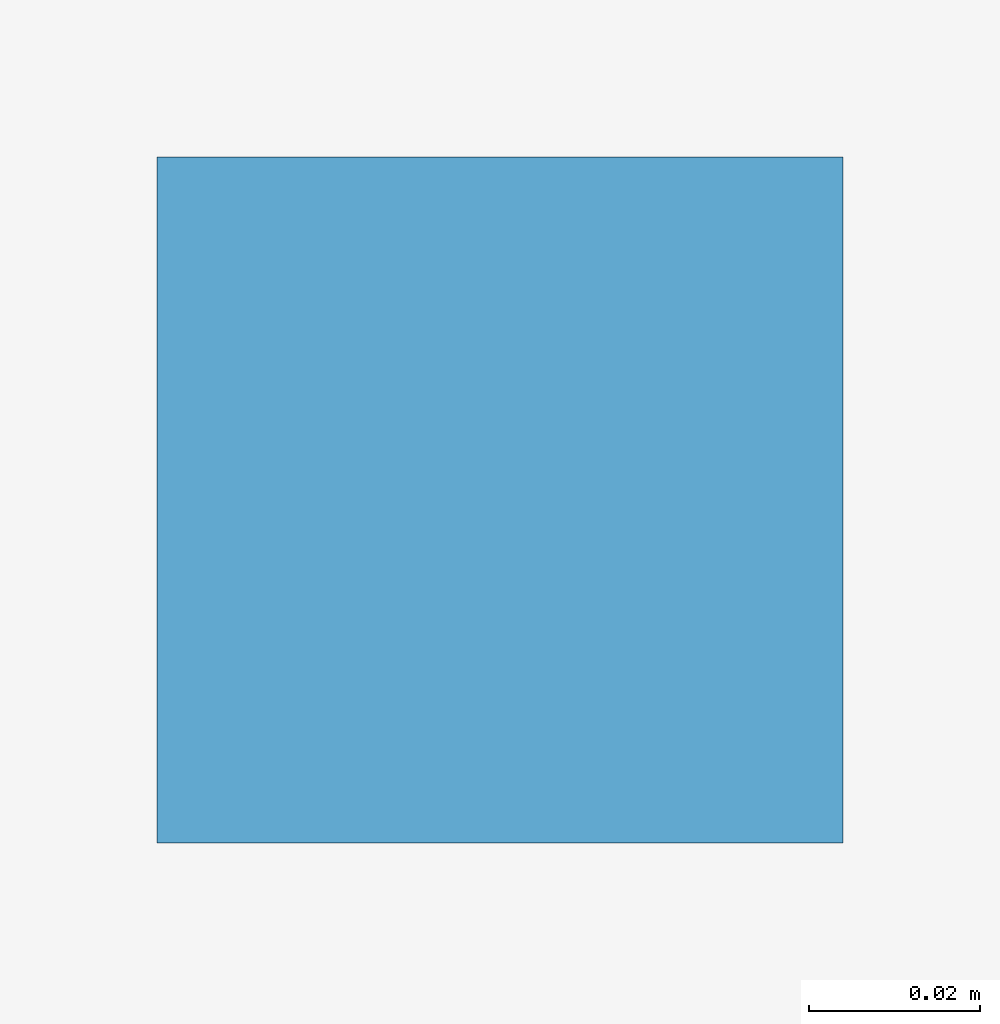
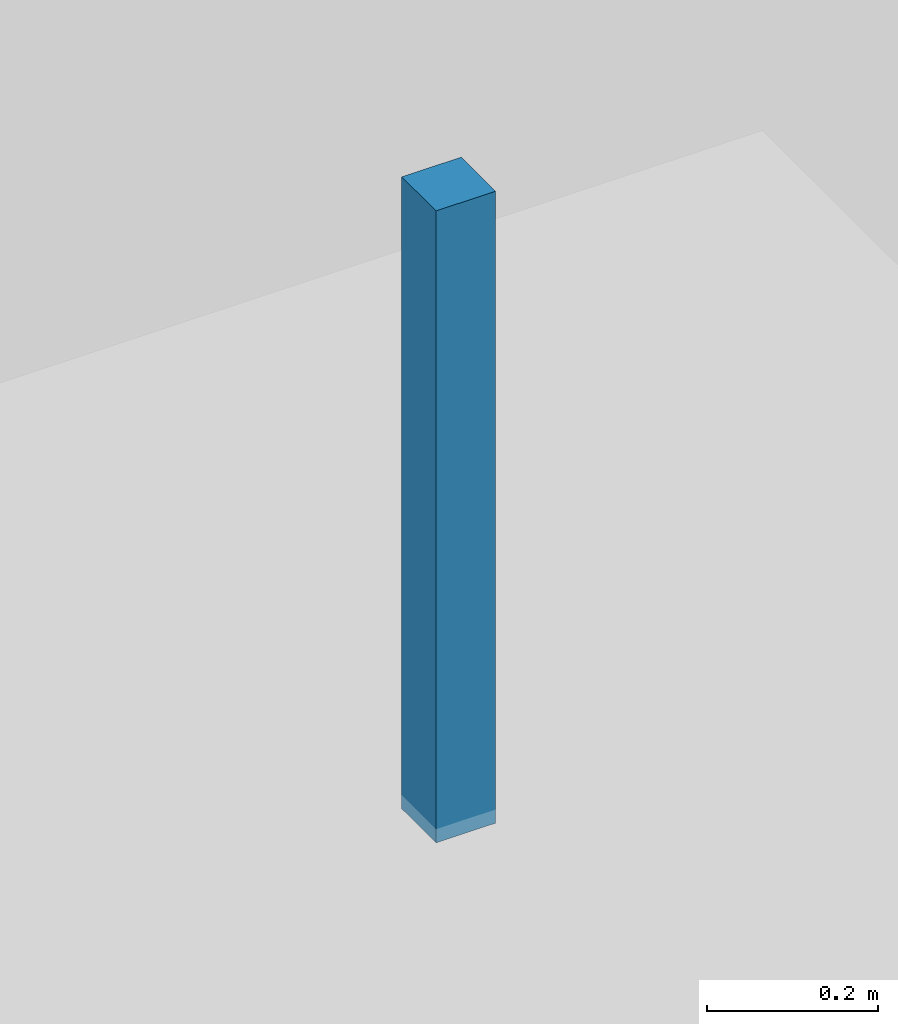
# One storey, part 46 of 53: 1 discrete accessory.
"""IFC4 building model written with IfcOpenShell, lengths in metres."""

import ifcopenshell
import ifcopenshell.guid

model = None  # the IFC model being written
_history = None  # IfcOwnerHistory: only IFC2X3 demands one
_inside = {}  # id of a spatial element -> (the spatial element, [elements in it])
_under = {}  # id of a project, library or spatial element -> (it, [spatial elements below it])
_declared = {}  # id of a project -> (the project, [libraries it declares])
_typed = {}  # id of a type object -> (the type object, [elements of that type])
_made_of = {}  # id of a material, layer set ... -> (it, [elements and type objects made of it])


def new_model(schema):
    """Start an empty IFC model of exactly this schema.

    Asked for "IFC4X3", IfcOpenShell would pick the latest addendum, in which some entities
    have other attributes; the version numbers below select the first issue.
    IFC2X3 requires an IfcOwnerHistory on every rooted entity: one is made here for all.
    """
    global model, _history
    if schema == "IFC4X3":
        model = ifcopenshell.file(schema_version=(4, 3, 0, 0))
    else:
        model = ifcopenshell.file(schema=schema)
    _inside.clear()
    _under.clear()
    _declared.clear()
    _typed.clear()
    _made_of.clear()
    _history = None
    if model.schema == "IFC2X3":
        org = make("IfcOrganization", Name="unknown")
        user = make(
            "IfcPersonAndOrganization",
            ThePerson=make("IfcPerson", FamilyName="unknown"),
            TheOrganization=org,
        )
        app = make(
            "IfcApplication",
            ApplicationDeveloper=org,
            Version="unknown",
            ApplicationFullName="unknown",
            ApplicationIdentifier="unknown",
        )
        _history = make(
            "IfcOwnerHistory",
            OwningUser=user,
            OwningApplication=app,
            ChangeAction="ADDED",
            CreationDate=0,
        )
    return model


def make(cls, **values):
    """One entity of the class cls with the attributes given. An attribute that is None is left unset."""
    return model.create_entity(
        cls, **{name: value for name, value in values.items() if value is not None}
    )


def rooted(cls, **values):
    """An entity with a GlobalId (a new one), such as an element, a storey or a relation."""
    return make(cls, GlobalId=ifcopenshell.guid.new(), OwnerHistory=_history, **values)


def si_unit(unit_type, name, prefix=None):
    """IfcSIUnit, for example si_unit("LENGTHUNIT", "METRE", prefix="MILLI")."""
    return make("IfcSIUnit", UnitType=unit_type, Prefix=prefix, Name=name)


def derived_unit(unit_type, elements):
    """IfcDerivedUnit: a product of units, each with its exponent."""
    return make(
        "IfcDerivedUnit",
        Elements=[
            make("IfcDerivedUnitElement", Unit=unit, Exponent=power)
            for unit, power in elements
        ],
        UnitType=unit_type,
    )


def assignment(units):
    """IfcUnitAssignment: the units of a project."""
    return None if units is None else make("IfcUnitAssignment", Units=units)


def point(xyz):
    """IfcCartesianPoint."""
    return None if xyz is None else make("IfcCartesianPoint", Coordinates=xyz)


def direction(xyz):
    """IfcDirection."""
    return None if xyz is None else make("IfcDirection", DirectionRatios=xyz)


def frame(location, z_axis=None, x_axis=None):
    """IfcAxis2Placement3D, a coordinate frame: its origin and axes. An axis left out is left unset."""
    return make(
        "IfcAxis2Placement3D",
        Location=point(location),
        Axis=direction(z_axis),
        RefDirection=direction(x_axis),
    )


def frame_2d(location, x_axis=None):
    """IfcAxis2Placement2D, a coordinate frame in the plane: its origin and x axis."""
    return make(
        "IfcAxis2Placement2D", Location=point(location), RefDirection=direction(x_axis)
    )


def origin():
    """The frame at (0, 0, 0) with its axes left unset."""
    return frame((0.0, 0.0, 0.0))


def origin_2d():
    """The frame at (0, 0) in the plane with its x axis left unset."""
    return frame_2d((0.0, 0.0))


def place(relative_to, where):
    """IfcLocalPlacement: puts the frame where relative to a parent placement (None: the world)."""
    return make(
        "IfcLocalPlacement", PlacementRelTo=relative_to, RelativePlacement=where
    )


def context(
    kind, dimensions, precision=None, world=None, true_north=None, identifier=None
):
    """IfcGeometricRepresentationContext, for example the 3D "Model" context."""
    return make(
        "IfcGeometricRepresentationContext",
        ContextIdentifier=identifier,
        ContextType=kind,
        CoordinateSpaceDimension=dimensions,
        Precision=precision,
        WorldCoordinateSystem=world,
        TrueNorth=true_north,
    )


def subcontext(parent, identifier, kind, view, scale=None):
    """IfcGeometricRepresentationSubContext, for example "Body" below "Model"."""
    return make(
        "IfcGeometricRepresentationSubContext",
        ContextIdentifier=identifier,
        ContextType=kind,
        ParentContext=parent,
        TargetScale=scale,
        TargetView=view,
    )


def project(units=None, contexts=None):
    """IfcProject with its units and contexts."""
    return rooted(
        "IfcProject",
        Name="project",
        RepresentationContexts=contexts,
        UnitsInContext=assignment(units),
    )


def spatial(cls, under=None, at=None, **own):
    """A site, building, storey or space (cls), placed at a placement, below another one or the project."""
    s = rooted(cls, ObjectPlacement=at, **own)
    if under is not None:
        _under.setdefault(under.id(), (under, []))[1].append(s)
    return s


def profile(cls, at=None, kind="AREA", **sizes):
    """A parametric profile (cls). Its sizes go by their IFC names, for example OverallWidth=200.0."""
    return make(cls, ProfileType=kind, Position=at, **sizes)


def rectangle(**sizes):
    """IfcRectangleProfileDef."""
    return profile("IfcRectangleProfileDef", **sizes)


def extrude(swept, where, along, depth):
    """IfcExtrudedAreaSolid: the profile swept, set in the frame where, extruded along a direction by depth."""
    return make(
        "IfcExtrudedAreaSolid",
        SweptArea=swept,
        Position=where,
        ExtrudedDirection=direction(along),
        Depth=depth,
    )


def shape(context_of_items, identifier, shape_type, items):
    """IfcShapeRepresentation: the items that make up one representation, for example the "Body"."""
    return make(
        "IfcShapeRepresentation",
        ContextOfItems=context_of_items,
        RepresentationIdentifier=identifier,
        RepresentationType=shape_type,
        Items=items,
    )


def material(Name=None, Category=None):
    """IfcMaterial."""
    return make("IfcMaterial", Name=Name, Category=Category)


def made_of(thing, what):
    """Note that an element or type object is made of a material, layer set ...; save() writes the relation."""
    if what is not None:
        _made_of.setdefault(what.id(), (what, []))[1].append(thing)
    return thing


def type_object(cls, material=None, **own):
    """A type object (cls), such as IfcWallType, which elements share."""
    return made_of(rooted(cls, **own), material)


def element(
    cls,
    number,
    at=None,
    inside=None,
    cuts=None,
    type_object=None,
    material=None,
    context=None,
    identifier="Body",
    shape_type=None,
    held_by="IfcProductDefinitionShape",
    body=None,
    shapes=None,
    **own,
):
    """One element of the class cls, such as IfcWall. Its Tag is "e" and its number.

    at: its placement. inside: the storey or other place that contains it. cuts: it is an
    opening in that element (IfcRelVoidsElement). A single representation is given by context,
    identifier, shape_type and body (its items); several are given by shapes. held_by: the class
    of the entity that holds the representations. save() writes the other relations.
    """
    e = rooted(cls, Tag="e%d" % number, ObjectPlacement=at, **own)
    if body is not None:
        shapes = [shape(context, identifier, shape_type, body)]
    if shapes is not None:
        e.Representation = make(held_by, Representations=shapes)
    if inside is not None:
        _inside.setdefault(inside.id(), (inside, []))[1].append(e)
    if cuts is not None:
        rooted(
            "IfcRelVoidsElement", RelatingBuildingElement=cuts, RelatedOpeningElement=e
        )
    if type_object is not None:
        _typed.setdefault(type_object.id(), (type_object, []))[1].append(e)
    return made_of(e, material)


def aggregate(whole, parts):
    """IfcRelAggregates: a whole, such as a stair, and the parts it consists of."""
    return rooted("IfcRelAggregates", RelatingObject=whole, RelatedObjects=parts)


def save(model, path):
    """Write the relations noted so far, then the file.

    IfcRelAggregates (storeys below a building ...), IfcRelContainedInSpatialStructure (elements
    in a storey), IfcRelDefinesByType, IfcRelAssociatesMaterial and IfcRelDeclares: one each for
    every whole, place, type object, material and project.
    """
    for whole, parts in _under.values():
        aggregate(whole, parts)
    for where, things in _inside.values():
        rooted(
            "IfcRelContainedInSpatialStructure",
            RelatedElements=things,
            RelatingStructure=where,
        )
    for kind, things in _typed.values():
        rooted("IfcRelDefinesByType", RelatedObjects=things, RelatingType=kind)
    for what, things in _made_of.values():
        rooted("IfcRelAssociatesMaterial", RelatedObjects=things, RelatingMaterial=what)
    for by, libraries in _declared.values():
        rooted("IfcRelDeclares", RelatingContext=by, RelatedDefinitions=libraries)
    model.write(path)


model = new_model("IFC4")

# Units and contexts
model_context = context("Model", 3, precision=1e-05, world=origin(), true_north=direction((0.0, 1.0)))
body_context = subcontext(model_context, "Body", "Model", "MODEL_VIEW")
ifc_project = project(units=[si_unit("LENGTHUNIT", "METRE"), si_unit("AREAUNIT", "SQUARE_METRE"), si_unit("VOLUMEUNIT", "CUBIC_METRE"), si_unit("PLANEANGLEUNIT", "RADIAN"), si_unit("MASSUNIT", "GRAM", prefix="KILO"), derived_unit("THERMALTRANSMITTANCEUNIT", [(si_unit("POWERUNIT", "WATT"), 1), (si_unit("LENGTHUNIT", "METRE"), -2), (si_unit("THERMODYNAMICTEMPERATUREUNIT", "KELVIN"), -1)])], contexts=[model_context])

# Site, building, storey
site_placement = place(None, origin())
site = spatial("IfcSite", under=ifc_project, at=site_placement, CompositionType="ELEMENT")
building_placement = place(site_placement, origin())
building = spatial("IfcBuilding", under=site, at=building_placement, Name="Almenara Railside Exhibition Hall", CompositionType="ELEMENT")
storey_placement = place(building_placement, origin())
storey = spatial("IfcBuildingStorey", under=building, at=storey_placement, Name="L00", CompositionType="ELEMENT", Elevation=0.0)

# Discrete accessory
ifc_material = material(Name="Galvanised steel suspension bracket", Category="steel")
discrete_accessory_type = type_object("IfcDiscreteAccessoryType", Name="Ceiling Suspension Bracket Hanger", PredefinedType="BRACKET", material=ifc_material)
discrete_accessory_placement = place(storey_placement, frame((99.0, 105.0, 4.280029296875), z_axis=(0.0, 0.0, 1.0), x_axis=(1.0, 0.0, 0.0)))
element("IfcDiscreteAccessory", 1, at=discrete_accessory_placement, inside=storey, type_object=discrete_accessory_type, Name="Ceiling suspension hanger 0008", PredefinedType="BRACKET", context=body_context, shape_type="SweptSolid", body=[
    extrude(rectangle(XDim=0.080078125, YDim=0.080078125, at=origin_2d()), origin(), (0.0, 0.0, 1.0), 0.89990234375),
])

save(model, "model.ifc")
